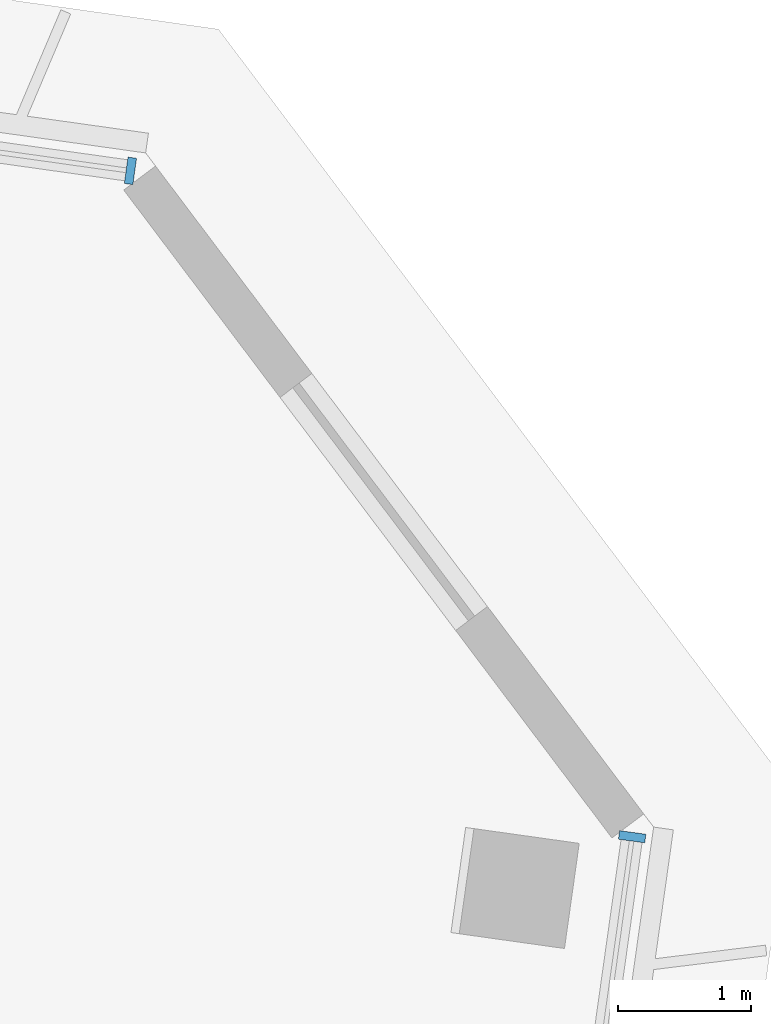
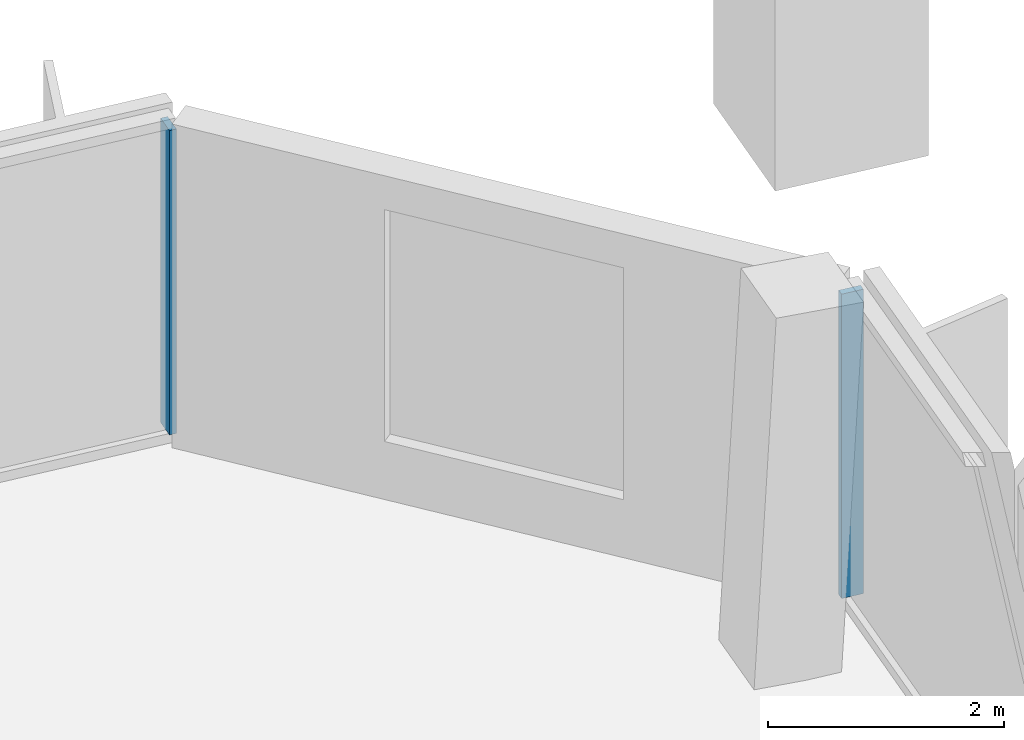
# One storey, part 9 of 32: 2 members, 2 elements without a shape of their own.
"""IFC4 building model written with IfcOpenShell, lengths in metres."""

from ifc_helpers import new_model, si_unit, direction, frame, origin, origin_2d, place, context, subcontext, project, spatial, rectangle, extrude, material, material_profile, profile_set, type_object, element, aggregate, save


model = new_model("IFC4")

# Units and contexts
model_context = context("Model", 3, precision=1e-05, world=origin(), true_north=direction((0.0, 1.0)))
body_context = subcontext(model_context, "Body", "Model", "MODEL_VIEW")
ifc_project = project(units=[si_unit("LENGTHUNIT", "METRE"), si_unit("AREAUNIT", "SQUARE_METRE"), si_unit("VOLUMEUNIT", "CUBIC_METRE"), si_unit("PLANEANGLEUNIT", "RADIAN"), si_unit("MASSUNIT", "GRAM", prefix="KILO")], contexts=[model_context])

# Site, building, storey
site_placement = place(None, origin())
site = spatial("IfcSite", under=ifc_project, at=site_placement, CompositionType="ELEMENT")
building_placement = place(site_placement, origin())
building = spatial("IfcBuilding", under=site, at=building_placement, Name="Mirante Cascada Hotel Towers", CompositionType="ELEMENT")
storey_placement = place(building_placement, frame((0.0, 0.0, 176.4)))
storey = spatial("IfcBuildingStorey", under=building, at=storey_placement, Name="L41", CompositionType="ELEMENT", Elevation=176.4)

# Curtain wall, member
ifc_material_1 = material(Name="Aluminium mullion and transom frame with clear laminated glass", Category="aluminium")
curtain_wall_type_1 = type_object("IfcCurtainWallType", Name="Ribbon curtain wall ECW1", PredefinedType="NOTDEFINED", material=ifc_material_1)
curtain_wall_1_placement = place(storey_placement, origin())
curtain_wall_1 = element("IfcCurtainWall", 1, at=curtain_wall_1_placement, inside=storey, type_object=curtain_wall_type_1, Name="Front ribbon wall T1 L41", PredefinedType="NOTDEFINED")
ifc_material_2 = material(Name="Anodised aluminium extrusion", Category="aluminium")
ifc_material_profile_1 = material_profile(ifc_material_2, rectangle(XDim=0.2, YDim=0.065, at=origin_2d()), Name="ECW1 MULLION 65x200")
ifc_profile_set_1 = profile_set([ifc_material_profile_1], Name="Anodised aluminium extrusion")
member_type_1 = type_object("IfcMemberType", Name="ECW1 mullion 65x200", PredefinedType="MULLION", material=ifc_profile_set_1)
member_1_placement = place(storey_placement, frame((-31.2232, 17.2072, 0.1), z_axis=(0.0, 0.0, 1.0), x_axis=(0.1391731, 0.9902681, 0.0)))
member_1 = element("IfcMember", 2, at=member_1_placement, type_object=member_type_1, Name="ECW1 mullion 13", PredefinedType="MULLION", context=body_context, shape_type="SweptSolid", body=[
    extrude(rectangle(XDim=0.2, YDim=0.065, at=origin_2d()), origin(), (0.0, 0.0, 1.0), 3.15),
])
aggregate(curtain_wall_1, [member_1])

ifc_material_3 = material(Name="Aluminium mullion and transom frame with clear laminated glass", Category="aluminium")
curtain_wall_type_2 = type_object("IfcCurtainWallType", Name="End ribbon curtain wall ECW2", PredefinedType="NOTDEFINED", material=ifc_material_3)
curtain_wall_2_placement = place(storey_placement, origin())
curtain_wall_2 = element("IfcCurtainWall", 3, at=curtain_wall_2_placement, inside=storey, type_object=curtain_wall_type_2, Name="Inner end wall T1 L41", PredefinedType="NOTDEFINED")
ifc_material_4 = material(Name="Anodised aluminium extrusion", Category="aluminium")
ifc_material_profile_2 = material_profile(ifc_material_4, rectangle(XDim=0.2, YDim=0.065, at=origin_2d()), Name="ECW2 MULLION 65x200")
ifc_profile_set_2 = profile_set([ifc_material_profile_2], Name="Anodised aluminium extrusion")
member_type_2 = type_object("IfcMemberType", Name="ECW2 mullion 65x200", PredefinedType="MULLION", material=ifc_profile_set_2)
member_2_placement = place(storey_placement, frame((-27.4404, 12.1872, 0.1), z_axis=(0.0, 0.0, 1.0), x_axis=(0.9902681, -0.1391731, 0.0)))
member_2 = element("IfcMember", 4, at=member_2_placement, type_object=member_type_2, Name="ECW2 mullion 1", PredefinedType="MULLION", context=body_context, shape_type="SweptSolid", body=[
    extrude(rectangle(XDim=0.2, YDim=0.065, at=origin_2d()), origin(), (0.0, 0.0, 1.0), 3.15),
])
aggregate(curtain_wall_2, [member_2])

save(model, "model.ifc")
